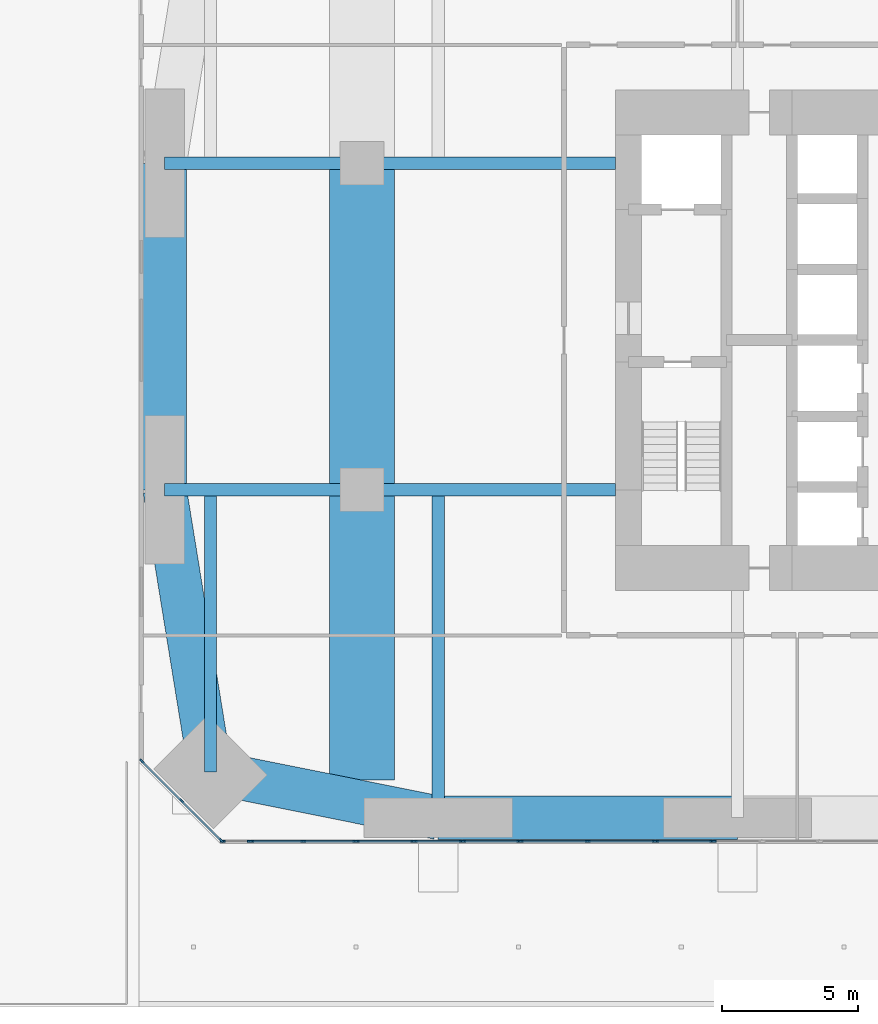
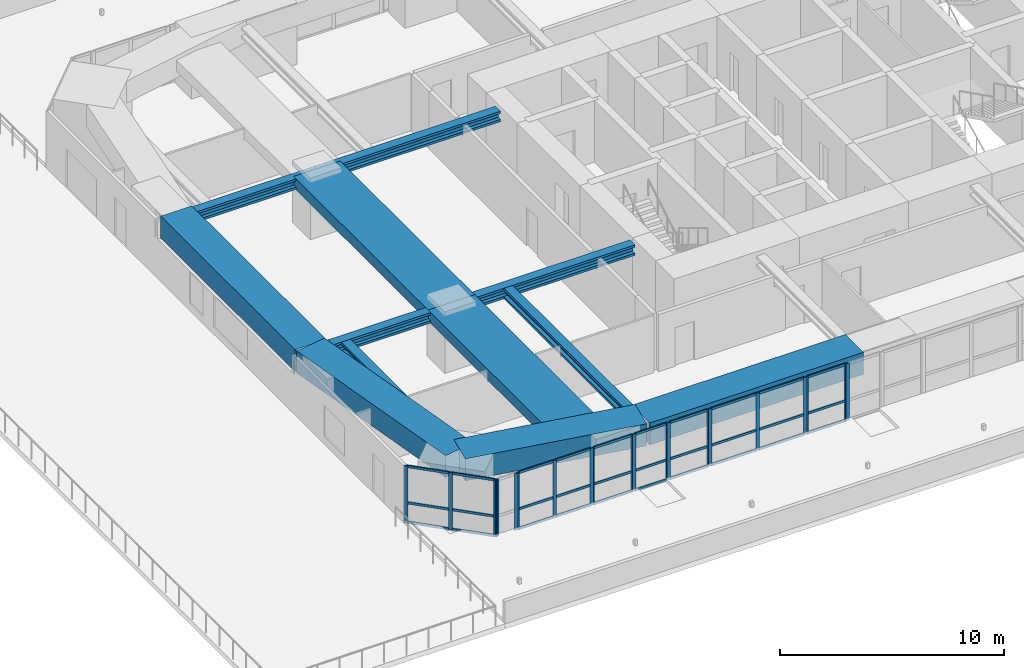
# One storey, part 2 of 20: 50 members, 12 beams, 9 elements without a shape of their own.
"""IFC4 building model written with IfcOpenShell, lengths in metres."""

from ifc_helpers import new_model, si_unit, direction, frame, origin, origin_2d, place, context, subcontext, project, spatial, rectangle, i_section, extrude, material, material_profile, profile_set, type_object, element, aggregate, save


model = new_model("IFC4")

# Units and contexts
model_context = context("Model", 3, precision=1e-05, world=origin(), true_north=direction((0.0, 1.0)))
body_context = subcontext(model_context, "Body", "Model", "MODEL_VIEW")
ifc_project = project(units=[si_unit("LENGTHUNIT", "METRE"), si_unit("AREAUNIT", "SQUARE_METRE"), si_unit("VOLUMEUNIT", "CUBIC_METRE"), si_unit("PLANEANGLEUNIT", "RADIAN"), si_unit("MASSUNIT", "GRAM", prefix="KILO")], contexts=[model_context])

# Site, building, storey
site_placement = place(None, origin())
site = spatial("IfcSite", under=ifc_project, at=site_placement, CompositionType="ELEMENT")
building_placement = place(site_placement, origin())
building = spatial("IfcBuilding", under=site, at=building_placement, Name="Jalousie Tower", CompositionType="ELEMENT")
storey_placement = place(building_placement, frame((0.0, 0.0, 21.0)))
storey = spatial("IfcBuildingStorey", under=building, at=storey_placement, Name="L04", CompositionType="ELEMENT", Elevation=21.0)

# Curtain wall, members
ifc_material_1 = material(Name="Aluminium curtain wall", Category="aluminium")
curtain_wall_type_1 = type_object("IfcCurtainWallType", Name="AMENITY SPANDREL WALL", PredefinedType="USERDEFINED", material=ifc_material_1)
curtain_wall_1_placement = place(storey_placement, origin())
curtain_wall_1 = element("IfcCurtainWall", 1, at=curtain_wall_1_placement, inside=storey, type_object=curtain_wall_type_1, Name="Amenity Spandrel Wall L04 1", ObjectType="AMENITY SPANDREL WALL", PredefinedType="USERDEFINED")
ifc_material_2 = material(Name="Aluminium mullion", Category="aluminium")
ifc_material_profile_1 = material_profile(ifc_material_2, rectangle(XDim=0.06494140625, YDim=0.175048828125, at=origin_2d()), Name="MULLION 65x175")
ifc_profile_set_1 = profile_set([ifc_material_profile_1], Name="Aluminium mullion")
member_type_1 = type_object("IfcMemberType", Name="AMENITY SPANDREL WALL MULLION", PredefinedType="MULLION", material=ifc_profile_set_1)
member_1_placement = place(storey_placement, frame((5.083740234375, 0.08740234375, 0.0), z_axis=(0.0, 0.0, 1.0), x_axis=(0.0, 1.0, 0.0)))
member_1 = element("IfcMember", 2, at=member_1_placement, type_object=member_type_1, Name="CW-AS mullion 1", PredefinedType="MULLION", context=body_context, shape_type="SweptSolid", body=[
    extrude(rectangle(XDim=0.06494140625, YDim=0.175048828125, at=origin_2d()), origin(), (0.0, 0.0, 1.0), 3.110107421875),
])
member_2_placement = place(storey_placement, frame((6.072265625, 0.08740234375, 0.0), z_axis=(0.0, 0.0, 1.0), x_axis=(0.0, 1.0, 0.0)))
member_2 = element("IfcMember", 3, at=member_2_placement, type_object=member_type_1, Name="CW-AS mullion 2", PredefinedType="MULLION", context=body_context, shape_type="SweptSolid", body=[
    extrude(rectangle(XDim=0.06494140625, YDim=0.175048828125, at=origin_2d()), origin(), (0.0, 0.0, 1.0), 3.110107421875),
])
aggregate(curtain_wall_1, [member_1, member_2])

curtain_wall_2_placement = place(storey_placement, origin())
curtain_wall_2 = element("IfcCurtainWall", 4, at=curtain_wall_2_placement, inside=storey, type_object=curtain_wall_type_1, Name="Amenity Spandrel Wall L04 3", ObjectType="AMENITY SPANDREL WALL", PredefinedType="USERDEFINED")
member_3_placement = place(storey_placement, frame((10.01806640625, 0.08740234375, 0.0), z_axis=(0.0, 0.0, 1.0), x_axis=(0.0, 1.0, 0.0)))
member_3 = element("IfcMember", 5, at=member_3_placement, type_object=member_type_1, Name="CW-AS mullion 1", PredefinedType="MULLION", context=body_context, shape_type="SweptSolid", body=[
    extrude(rectangle(XDim=0.06494140625, YDim=0.175048828125, at=origin_2d()), origin(), (0.0, 0.0, 1.0), 3.110107421875),
])
member_4_placement = place(storey_placement, frame((12.072509765625, 0.08740234375, 0.0), z_axis=(0.0, 0.0, 1.0), x_axis=(0.0, 1.0, 0.0)))
member_4 = element("IfcMember", 6, at=member_4_placement, type_object=member_type_1, Name="CW-AS mullion 2", PredefinedType="MULLION", context=body_context, shape_type="SweptSolid", body=[
    extrude(rectangle(XDim=0.06494140625, YDim=0.175048828125, at=origin_2d()), origin(), (0.0, 0.0, 1.0), 3.110107421875),
])

curtain_wall_3_placement = place(storey_placement, origin())
curtain_wall_3 = element("IfcCurtainWall", 7, at=curtain_wall_3_placement, inside=storey, type_object=curtain_wall_type_1, Name="Amenity Spandrel Wall L04 5", ObjectType="AMENITY SPANDREL WALL", PredefinedType="USERDEFINED")
member_5_placement = place(storey_placement, frame((13.927490234375, 0.08740234375, 0.0), z_axis=(0.0, 0.0, 1.0), x_axis=(0.0, 1.0, 0.0)))
member_5 = element("IfcMember", 8, at=member_5_placement, type_object=member_type_1, Name="CW-AS mullion 1", PredefinedType="MULLION", context=body_context, shape_type="SweptSolid", body=[
    extrude(rectangle(XDim=0.06494140625, YDim=0.175048828125, at=origin_2d()), origin(), (0.0, 0.0, 1.0), 3.110107421875),
])
member_6_placement = place(storey_placement, frame((15.98193359375, 0.08740234375, 0.0), z_axis=(0.0, 0.0, 1.0), x_axis=(0.0, 1.0, 0.0)))
member_6 = element("IfcMember", 9, at=member_6_placement, type_object=member_type_1, Name="CW-AS mullion 2", PredefinedType="MULLION", context=body_context, shape_type="SweptSolid", body=[
    extrude(rectangle(XDim=0.06494140625, YDim=0.175048828125, at=origin_2d()), origin(), (0.0, 0.0, 1.0), 3.110107421875),
])

curtain_wall_4_placement = place(storey_placement, origin())
curtain_wall_4 = element("IfcCurtainWall", 10, at=curtain_wall_4_placement, inside=storey, type_object=curtain_wall_type_1, Name="Amenity Spandrel Wall L04 7", ObjectType="AMENITY SPANDREL WALL", PredefinedType="USERDEFINED")
member_7_placement = place(storey_placement, frame((21.01806640625, 0.08740234375, 0.0), z_axis=(0.0, 0.0, 1.0), x_axis=(0.0, 1.0, 0.0)))
member_7 = element("IfcMember", 11, at=member_7_placement, type_object=member_type_1, Name="CW-AS mullion 1", PredefinedType="MULLION", context=body_context, shape_type="SweptSolid", body=[
    extrude(rectangle(XDim=0.06494140625, YDim=0.175048828125, at=origin_2d()), origin(), (0.0, 0.0, 1.0), 3.110107421875),
])
member_8_placement = place(storey_placement, frame((23.072509765625, 0.08740234375, 0.0), z_axis=(0.0, 0.0, 1.0), x_axis=(0.0, 1.0, 0.0)))
member_8 = element("IfcMember", 12, at=member_8_placement, type_object=member_type_1, Name="CW-AS mullion 2", PredefinedType="MULLION", context=body_context, shape_type="SweptSolid", body=[
    extrude(rectangle(XDim=0.06494140625, YDim=0.175048828125, at=origin_2d()), origin(), (0.0, 0.0, 1.0), 3.110107421875),
])

curtain_wall_5_placement = place(storey_placement, origin())
curtain_wall_5 = element("IfcCurtainWall", 13, at=curtain_wall_5_placement, inside=storey, type_object=curtain_wall_type_1, Name="Amenity Spandrel Wall L04 8", ObjectType="AMENITY SPANDREL WALL", PredefinedType="USERDEFINED")
member_9_placement = place(storey_placement, frame((2.110595703125, 3.0283203125, 0.0), z_axis=(0.0, 0.0, 1.0), x_axis=(0.707106781187, 0.707106781187, 0.0)))
member_9 = element("IfcMember", 14, at=member_9_placement, type_object=member_type_1, Name="CW-AS mullion 1", PredefinedType="MULLION", context=body_context, shape_type="SweptSolid", body=[
    extrude(rectangle(XDim=0.06494140625, YDim=0.175048828125, at=origin_2d()), origin(), (0.0, 0.0, 1.0), 3.110107421875),
])
member_10_placement = place(storey_placement, frame((3.5693359375, 1.5693359375, 0.0), z_axis=(0.0, 0.0, 1.0), x_axis=(0.707106781187, 0.707106781187, 0.0)))
member_10 = element("IfcMember", 15, at=member_10_placement, type_object=member_type_1, Name="CW-AS mullion 2", PredefinedType="MULLION", context=body_context, shape_type="SweptSolid", body=[
    extrude(rectangle(XDim=0.06494140625, YDim=0.175048828125, at=origin_2d()), origin(), (0.0, 0.0, 1.0), 3.110107421875),
])
member_11_placement = place(storey_placement, frame((5.0283203125, 0.110595703125, 0.0), z_axis=(0.0, 0.0, 1.0), x_axis=(0.707106781187, 0.707106781187, 0.0)))
member_11 = element("IfcMember", 16, at=member_11_placement, type_object=member_type_1, Name="CW-AS mullion 3", PredefinedType="MULLION", context=body_context, shape_type="SweptSolid", body=[
    extrude(rectangle(XDim=0.06494140625, YDim=0.175048828125, at=origin_2d()), origin(), (0.0, 0.0, 1.0), 3.110107421875),
])

# Member
ifc_material_3 = material(Name="Aluminium transom", Category="aluminium")
ifc_material_profile_2 = material_profile(ifc_material_3, rectangle(XDim=0.06494140625, YDim=0.1298828125, at=origin_2d()), Name="TRANSOM 65x130")
ifc_profile_set_2 = profile_set([ifc_material_profile_2], Name="Aluminium transom")
member_type_2 = type_object("IfcMemberType", Name="AMENITY SPANDREL WALL TRANSOM", PredefinedType="USERDEFINED", material=ifc_profile_set_2)
member_12_placement = place(storey_placement, frame((10.050537109375, 0.08740234375, 0.032470703125), z_axis=(1.0, 0.0, 0.0), x_axis=(0.0, 1.0, 0.0)))
member_12 = element("IfcMember", 17, at=member_12_placement, type_object=member_type_2, Name="CW-AS transom 1.1", ObjectType="TRANSOM", PredefinedType="USERDEFINED", context=body_context, shape_type="SweptSolid", body=[
    extrude(rectangle(XDim=0.06494140625, YDim=0.1298828125, at=origin_2d()), origin(), (0.0, 0.0, 1.0), 1.9892578125),
])

member_13_placement = place(storey_placement, frame((10.050537109375, 0.08740234375, 1.10009765625), z_axis=(1.0, 0.0, 0.0), x_axis=(0.0, 1.0, 0.0)))
member_13 = element("IfcMember", 18, at=member_13_placement, type_object=member_type_2, Name="CW-AS transom 1.2", ObjectType="TRANSOM", PredefinedType="USERDEFINED", context=body_context, shape_type="SweptSolid", body=[
    extrude(rectangle(XDim=0.06494140625, YDim=0.1298828125, at=origin_2d()), origin(), (0.0, 0.0, 1.0), 1.9892578125),
])

member_14_placement = place(storey_placement, frame((10.050537109375, 0.08740234375, 3.077392578125), z_axis=(1.0, 0.0, 0.0), x_axis=(0.0, 1.0, 0.0)))
member_14 = element("IfcMember", 19, at=member_14_placement, type_object=member_type_2, Name="CW-AS transom 1.3", ObjectType="TRANSOM", PredefinedType="USERDEFINED", context=body_context, shape_type="SweptSolid", body=[
    extrude(rectangle(XDim=0.06494140625, YDim=0.1298828125, at=origin_2d()), origin(), (0.0, 0.0, 1.0), 1.9892578125),
])

aggregate(curtain_wall_2, [member_3, member_4, member_12, member_13, member_14])

member_15_placement = place(storey_placement, frame((13.960205078125, 0.08740234375, 0.032470703125), z_axis=(1.0, 0.0, 0.0), x_axis=(0.0, 1.0, 0.0)))
member_15 = element("IfcMember", 20, at=member_15_placement, type_object=member_type_2, Name="CW-AS transom 1.1", ObjectType="TRANSOM", PredefinedType="USERDEFINED", context=body_context, shape_type="SweptSolid", body=[
    extrude(rectangle(XDim=0.06494140625, YDim=0.1298828125, at=origin_2d()), origin(), (0.0, 0.0, 1.0), 1.9892578125),
])

member_16_placement = place(storey_placement, frame((13.960205078125, 0.08740234375, 1.10009765625), z_axis=(1.0, 0.0, 0.0), x_axis=(0.0, 1.0, 0.0)))
member_16 = element("IfcMember", 21, at=member_16_placement, type_object=member_type_2, Name="CW-AS transom 1.2", ObjectType="TRANSOM", PredefinedType="USERDEFINED", context=body_context, shape_type="SweptSolid", body=[
    extrude(rectangle(XDim=0.06494140625, YDim=0.1298828125, at=origin_2d()), origin(), (0.0, 0.0, 1.0), 1.9892578125),
])

member_17_placement = place(storey_placement, frame((13.960205078125, 0.08740234375, 3.077392578125), z_axis=(1.0, 0.0, 0.0), x_axis=(0.0, 1.0, 0.0)))
member_17 = element("IfcMember", 22, at=member_17_placement, type_object=member_type_2, Name="CW-AS transom 1.3", ObjectType="TRANSOM", PredefinedType="USERDEFINED", context=body_context, shape_type="SweptSolid", body=[
    extrude(rectangle(XDim=0.06494140625, YDim=0.1298828125, at=origin_2d()), origin(), (0.0, 0.0, 1.0), 1.9892578125),
])

aggregate(curtain_wall_3, [member_5, member_6, member_15, member_16, member_17])

member_18_placement = place(storey_placement, frame((21.050537109375, 0.08740234375, 0.032470703125), z_axis=(1.0, 0.0, 0.0), x_axis=(0.0, 1.0, 0.0)))
member_18 = element("IfcMember", 23, at=member_18_placement, type_object=member_type_2, Name="CW-AS transom 1.1", ObjectType="TRANSOM", PredefinedType="USERDEFINED", context=body_context, shape_type="SweptSolid", body=[
    extrude(rectangle(XDim=0.06494140625, YDim=0.1298828125, at=origin_2d()), origin(), (0.0, 0.0, 1.0), 1.9892578125),
])

member_19_placement = place(storey_placement, frame((21.050537109375, 0.08740234375, 1.10009765625), z_axis=(1.0, 0.0, 0.0), x_axis=(0.0, 1.0, 0.0)))
member_19 = element("IfcMember", 24, at=member_19_placement, type_object=member_type_2, Name="CW-AS transom 1.2", ObjectType="TRANSOM", PredefinedType="USERDEFINED", context=body_context, shape_type="SweptSolid", body=[
    extrude(rectangle(XDim=0.06494140625, YDim=0.1298828125, at=origin_2d()), origin(), (0.0, 0.0, 1.0), 1.9892578125),
])

member_20_placement = place(storey_placement, frame((21.050537109375, 0.08740234375, 3.077392578125), z_axis=(1.0, 0.0, 0.0), x_axis=(0.0, 1.0, 0.0)))
member_20 = element("IfcMember", 25, at=member_20_placement, type_object=member_type_2, Name="CW-AS transom 1.3", ObjectType="TRANSOM", PredefinedType="USERDEFINED", context=body_context, shape_type="SweptSolid", body=[
    extrude(rectangle(XDim=0.06494140625, YDim=0.1298828125, at=origin_2d()), origin(), (0.0, 0.0, 1.0), 1.9892578125),
])

aggregate(curtain_wall_4, [member_7, member_8, member_18, member_19, member_20])

member_21_placement = place(storey_placement, frame((2.133544921875, 3.00537109375, 0.032470703125), z_axis=(0.707045689409, -0.707167867686, 0.0), x_axis=(0.707167867686, 0.707045689409, 0.0)))
member_21 = element("IfcMember", 26, at=member_21_placement, type_object=member_type_2, Name="CW-AS transom 1.1", ObjectType="TRANSOM", PredefinedType="USERDEFINED", context=body_context, shape_type="SweptSolid", body=[
    extrude(rectangle(XDim=0.06494140625, YDim=0.1298828125, at=origin_2d()), origin(), (0.0, 0.0, 1.0), 1.998291015625),
])

member_22_placement = place(storey_placement, frame((2.133544921875, 3.00537109375, 1.10009765625), z_axis=(0.707045689409, -0.707167867686, 0.0), x_axis=(0.707167867686, 0.707045689409, 0.0)))
member_22 = element("IfcMember", 27, at=member_22_placement, type_object=member_type_2, Name="CW-AS transom 1.2", ObjectType="TRANSOM", PredefinedType="USERDEFINED", context=body_context, shape_type="SweptSolid", body=[
    extrude(rectangle(XDim=0.06494140625, YDim=0.1298828125, at=origin_2d()), origin(), (0.0, 0.0, 1.0), 1.998291015625),
])

member_23_placement = place(storey_placement, frame((2.133544921875, 3.00537109375, 3.077392578125), z_axis=(0.707045689409, -0.707167867686, 0.0), x_axis=(0.707167867686, 0.707045689409, 0.0)))
member_23 = element("IfcMember", 28, at=member_23_placement, type_object=member_type_2, Name="CW-AS transom 1.3", ObjectType="TRANSOM", PredefinedType="USERDEFINED", context=body_context, shape_type="SweptSolid", body=[
    extrude(rectangle(XDim=0.06494140625, YDim=0.1298828125, at=origin_2d()), origin(), (0.0, 0.0, 1.0), 1.998291015625),
])

member_24_placement = place(storey_placement, frame((3.59228515625, 1.54638671875, 0.032470703125), z_axis=(0.707167867686, -0.707045689409, 0.0), x_axis=(0.707045689409, 0.707167867686, 0.0)))
member_24 = element("IfcMember", 29, at=member_24_placement, type_object=member_type_2, Name="CW-AS transom 2.1", ObjectType="TRANSOM", PredefinedType="USERDEFINED", context=body_context, shape_type="SweptSolid", body=[
    extrude(rectangle(XDim=0.06494140625, YDim=0.1298828125, at=origin_2d()), origin(), (0.0, 0.0, 1.0), 1.998291015625),
])

member_25_placement = place(storey_placement, frame((3.59228515625, 1.54638671875, 1.10009765625), z_axis=(0.707167867686, -0.707045689409, 0.0), x_axis=(0.707045689409, 0.707167867686, 0.0)))
member_25 = element("IfcMember", 30, at=member_25_placement, type_object=member_type_2, Name="CW-AS transom 2.2", ObjectType="TRANSOM", PredefinedType="USERDEFINED", context=body_context, shape_type="SweptSolid", body=[
    extrude(rectangle(XDim=0.06494140625, YDim=0.1298828125, at=origin_2d()), origin(), (0.0, 0.0, 1.0), 1.998291015625),
])

member_26_placement = place(storey_placement, frame((3.59228515625, 1.54638671875, 3.077392578125), z_axis=(0.707167867686, -0.707045689409, 0.0), x_axis=(0.707045689409, 0.707167867686, 0.0)))
member_26 = element("IfcMember", 31, at=member_26_placement, type_object=member_type_2, Name="CW-AS transom 2.3", ObjectType="TRANSOM", PredefinedType="USERDEFINED", context=body_context, shape_type="SweptSolid", body=[
    extrude(rectangle(XDim=0.06494140625, YDim=0.1298828125, at=origin_2d()), origin(), (0.0, 0.0, 1.0), 1.998291015625),
])

aggregate(curtain_wall_5, [member_9, member_10, member_11, member_21, member_22, member_23, member_24, member_25, member_26])

# Curtain wall, members
ifc_material_4 = material(Name="Aluminium curtain wall", Category="aluminium")
curtain_wall_type_2 = type_object("IfcCurtainWallType", Name="AMENITY WINDOW WALL", PredefinedType="USERDEFINED", material=ifc_material_4)
curtain_wall_6_placement = place(storey_placement, origin())
curtain_wall_6 = element("IfcCurtainWall", 32, at=curtain_wall_6_placement, inside=storey, type_object=curtain_wall_type_2, Name="Amenity Window Wall L04 2", ObjectType="AMENITY WINDOW WALL", PredefinedType="USERDEFINED")
ifc_material_5 = material(Name="Aluminium mullion", Category="aluminium")
ifc_material_profile_3 = material_profile(ifc_material_5, rectangle(XDim=0.06494140625, YDim=0.175048828125, at=origin_2d()), Name="MULLION 65x175")
ifc_profile_set_3 = profile_set([ifc_material_profile_3], Name="Aluminium mullion")
member_type_3 = type_object("IfcMemberType", Name="AMENITY WINDOW WALL MULLION", PredefinedType="MULLION", material=ifc_profile_set_3)
member_27_placement = place(storey_placement, frame((6.13720703125, 0.08740234375, 0.0), z_axis=(0.0, 0.0, 1.0), x_axis=(0.0, 1.0, 0.0)))
member_27 = element("IfcMember", 33, at=member_27_placement, type_object=member_type_3, Name="CW-A mullion 1", PredefinedType="MULLION", context=body_context, shape_type="SweptSolid", body=[
    extrude(rectangle(XDim=0.06494140625, YDim=0.175048828125, at=origin_2d()), origin(), (0.0, 0.0, 1.0), 3.110107421875),
])
member_28_placement = place(storey_placement, frame((8.045166015625, 0.08740234375, 0.0), z_axis=(0.0, 0.0, 1.0), x_axis=(0.0, 1.0, 0.0)))
member_28 = element("IfcMember", 34, at=member_28_placement, type_object=member_type_3, Name="CW-A mullion 2", PredefinedType="MULLION", context=body_context, shape_type="SweptSolid", body=[
    extrude(rectangle(XDim=0.06494140625, YDim=0.175048828125, at=origin_2d()), origin(), (0.0, 0.0, 1.0), 3.110107421875),
])
member_29_placement = place(storey_placement, frame((9.952880859375, 0.08740234375, 0.0), z_axis=(0.0, 0.0, 1.0), x_axis=(0.0, 1.0, 0.0)))
member_29 = element("IfcMember", 35, at=member_29_placement, type_object=member_type_3, Name="CW-A mullion 3", PredefinedType="MULLION", context=body_context, shape_type="SweptSolid", body=[
    extrude(rectangle(XDim=0.06494140625, YDim=0.175048828125, at=origin_2d()), origin(), (0.0, 0.0, 1.0), 3.110107421875),
])

curtain_wall_7_placement = place(storey_placement, origin())
curtain_wall_7 = element("IfcCurtainWall", 36, at=curtain_wall_7_placement, inside=storey, type_object=curtain_wall_type_2, Name="Amenity Window Wall L04 4", ObjectType="AMENITY WINDOW WALL", PredefinedType="USERDEFINED")
member_30_placement = place(storey_placement, frame((12.137451171875, 0.08740234375, 0.0), z_axis=(0.0, 0.0, 1.0), x_axis=(0.0, 1.0, 0.0)))
member_30 = element("IfcMember", 37, at=member_30_placement, type_object=member_type_3, Name="CW-A mullion 1", PredefinedType="MULLION", context=body_context, shape_type="SweptSolid", body=[
    extrude(rectangle(XDim=0.06494140625, YDim=0.175048828125, at=origin_2d()), origin(), (0.0, 0.0, 1.0), 3.110107421875),
])
member_31_placement = place(storey_placement, frame((13.862548828125, 0.08740234375, 0.0), z_axis=(0.0, 0.0, 1.0), x_axis=(0.0, 1.0, 0.0)))
member_31 = element("IfcMember", 38, at=member_31_placement, type_object=member_type_3, Name="CW-A mullion 2", PredefinedType="MULLION", context=body_context, shape_type="SweptSolid", body=[
    extrude(rectangle(XDim=0.06494140625, YDim=0.175048828125, at=origin_2d()), origin(), (0.0, 0.0, 1.0), 3.110107421875),
])

curtain_wall_8_placement = place(storey_placement, origin())
curtain_wall_8 = element("IfcCurtainWall", 39, at=curtain_wall_8_placement, inside=storey, type_object=curtain_wall_type_2, Name="Amenity Window Wall L04 6", ObjectType="AMENITY WINDOW WALL", PredefinedType="USERDEFINED")
member_32_placement = place(storey_placement, frame((16.047119140625, 0.08740234375, 0.0), z_axis=(0.0, 0.0, 1.0), x_axis=(0.0, 1.0, 0.0)))
member_32 = element("IfcMember", 40, at=member_32_placement, type_object=member_type_3, Name="CW-A mullion 1", PredefinedType="MULLION", context=body_context, shape_type="SweptSolid", body=[
    extrude(rectangle(XDim=0.06494140625, YDim=0.175048828125, at=origin_2d()), origin(), (0.0, 0.0, 1.0), 3.110107421875),
])
member_33_placement = place(storey_placement, frame((18.5, 0.08740234375, 0.0), z_axis=(0.0, 0.0, 1.0), x_axis=(0.0, 1.0, 0.0)))
member_33 = element("IfcMember", 41, at=member_33_placement, type_object=member_type_3, Name="CW-A mullion 2", PredefinedType="MULLION", context=body_context, shape_type="SweptSolid", body=[
    extrude(rectangle(XDim=0.06494140625, YDim=0.175048828125, at=origin_2d()), origin(), (0.0, 0.0, 1.0), 3.110107421875),
])
member_34_placement = place(storey_placement, frame((20.952880859375, 0.08740234375, 0.0), z_axis=(0.0, 0.0, 1.0), x_axis=(0.0, 1.0, 0.0)))
member_34 = element("IfcMember", 42, at=member_34_placement, type_object=member_type_3, Name="CW-A mullion 3", PredefinedType="MULLION", context=body_context, shape_type="SweptSolid", body=[
    extrude(rectangle(XDim=0.06494140625, YDim=0.175048828125, at=origin_2d()), origin(), (0.0, 0.0, 1.0), 3.110107421875),
])

# Curtain wall, member
curtain_wall_9_placement = place(storey_placement, origin())
curtain_wall_9 = element("IfcCurtainWall", 43, at=curtain_wall_9_placement, inside=storey, type_object=curtain_wall_type_2, Name="Amenity Window Wall L04 8", ObjectType="AMENITY WINDOW WALL", PredefinedType="USERDEFINED")
member_35_placement = place(storey_placement, frame((23.137451171875, 0.08740234375, 0.0), z_axis=(0.0, 0.0, 1.0), x_axis=(0.0, 1.0, 0.0)))
member_35 = element("IfcMember", 44, at=member_35_placement, type_object=member_type_3, Name="CW-A mullion 1", PredefinedType="MULLION", context=body_context, shape_type="SweptSolid", body=[
    extrude(rectangle(XDim=0.06494140625, YDim=0.175048828125, at=origin_2d()), origin(), (0.0, 0.0, 1.0), 3.110107421875),
])
aggregate(curtain_wall_9, [member_35])

# Member
ifc_material_6 = material(Name="Aluminium transom", Category="aluminium")
ifc_material_profile_4 = material_profile(ifc_material_6, rectangle(XDim=0.06494140625, YDim=0.1298828125, at=origin_2d()), Name="TRANSOM 65x130")
ifc_profile_set_4 = profile_set([ifc_material_profile_4], Name="Aluminium transom")
member_type_4 = type_object("IfcMemberType", Name="AMENITY WINDOW WALL TRANSOM", PredefinedType="USERDEFINED", material=ifc_profile_set_4)
member_36_placement = place(storey_placement, frame((6.169921875, 0.08740234375, 0.032470703125), z_axis=(1.0, 0.0, 0.0), x_axis=(0.0, 1.0, 0.0)))
member_36 = element("IfcMember", 45, at=member_36_placement, type_object=member_type_4, Name="CW-A transom 1.1", ObjectType="TRANSOM", PredefinedType="USERDEFINED", context=body_context, shape_type="SweptSolid", body=[
    extrude(rectangle(XDim=0.06494140625, YDim=0.1298828125, at=origin_2d()), origin(), (0.0, 0.0, 1.0), 1.8427734375),
])

member_37_placement = place(storey_placement, frame((6.169921875, 0.08740234375, 1.10009765625), z_axis=(1.0, 0.0, 0.0), x_axis=(0.0, 1.0, 0.0)))
member_37 = element("IfcMember", 46, at=member_37_placement, type_object=member_type_4, Name="CW-A transom 1.2", ObjectType="TRANSOM", PredefinedType="USERDEFINED", context=body_context, shape_type="SweptSolid", body=[
    extrude(rectangle(XDim=0.06494140625, YDim=0.1298828125, at=origin_2d()), origin(), (0.0, 0.0, 1.0), 1.8427734375),
])

member_38_placement = place(storey_placement, frame((6.169921875, 0.08740234375, 3.077392578125), z_axis=(1.0, 0.0, 0.0), x_axis=(0.0, 1.0, 0.0)))
member_38 = element("IfcMember", 47, at=member_38_placement, type_object=member_type_4, Name="CW-A transom 1.3", ObjectType="TRANSOM", PredefinedType="USERDEFINED", context=body_context, shape_type="SweptSolid", body=[
    extrude(rectangle(XDim=0.06494140625, YDim=0.1298828125, at=origin_2d()), origin(), (0.0, 0.0, 1.0), 1.8427734375),
])

member_39_placement = place(storey_placement, frame((8.07763671875, 0.08740234375, 0.032470703125), z_axis=(1.0, 0.0, 0.0), x_axis=(0.0, 1.0, 0.0)))
member_39 = element("IfcMember", 48, at=member_39_placement, type_object=member_type_4, Name="CW-A transom 2.1", ObjectType="TRANSOM", PredefinedType="USERDEFINED", context=body_context, shape_type="SweptSolid", body=[
    extrude(rectangle(XDim=0.06494140625, YDim=0.1298828125, at=origin_2d()), origin(), (0.0, 0.0, 1.0), 1.8427734375),
])

member_40_placement = place(storey_placement, frame((8.07763671875, 0.08740234375, 1.10009765625), z_axis=(1.0, 0.0, 0.0), x_axis=(0.0, 1.0, 0.0)))
member_40 = element("IfcMember", 49, at=member_40_placement, type_object=member_type_4, Name="CW-A transom 2.2", ObjectType="TRANSOM", PredefinedType="USERDEFINED", context=body_context, shape_type="SweptSolid", body=[
    extrude(rectangle(XDim=0.06494140625, YDim=0.1298828125, at=origin_2d()), origin(), (0.0, 0.0, 1.0), 1.8427734375),
])

member_41_placement = place(storey_placement, frame((8.07763671875, 0.08740234375, 3.077392578125), z_axis=(1.0, 0.0, 0.0), x_axis=(0.0, 1.0, 0.0)))
member_41 = element("IfcMember", 50, at=member_41_placement, type_object=member_type_4, Name="CW-A transom 2.3", ObjectType="TRANSOM", PredefinedType="USERDEFINED", context=body_context, shape_type="SweptSolid", body=[
    extrude(rectangle(XDim=0.06494140625, YDim=0.1298828125, at=origin_2d()), origin(), (0.0, 0.0, 1.0), 1.8427734375),
])

aggregate(curtain_wall_6, [member_27, member_28, member_29, member_36, member_37, member_38, member_39, member_40, member_41])

member_42_placement = place(storey_placement, frame((12.169921875, 0.08740234375, 0.032470703125), z_axis=(1.0, 0.0, 0.0), x_axis=(0.0, 1.0, 0.0)))
member_42 = element("IfcMember", 51, at=member_42_placement, type_object=member_type_4, Name="CW-A transom 1.1", ObjectType="TRANSOM", PredefinedType="USERDEFINED", context=body_context, shape_type="SweptSolid", body=[
    extrude(rectangle(XDim=0.06494140625, YDim=0.1298828125, at=origin_2d()), origin(), (0.0, 0.0, 1.0), 1.66015625),
])

member_43_placement = place(storey_placement, frame((12.169921875, 0.08740234375, 1.10009765625), z_axis=(1.0, 0.0, 0.0), x_axis=(0.0, 1.0, 0.0)))
member_43 = element("IfcMember", 52, at=member_43_placement, type_object=member_type_4, Name="CW-A transom 1.2", ObjectType="TRANSOM", PredefinedType="USERDEFINED", context=body_context, shape_type="SweptSolid", body=[
    extrude(rectangle(XDim=0.06494140625, YDim=0.1298828125, at=origin_2d()), origin(), (0.0, 0.0, 1.0), 1.66015625),
])

member_44_placement = place(storey_placement, frame((12.169921875, 0.08740234375, 3.077392578125), z_axis=(1.0, 0.0, 0.0), x_axis=(0.0, 1.0, 0.0)))
member_44 = element("IfcMember", 53, at=member_44_placement, type_object=member_type_4, Name="CW-A transom 1.3", ObjectType="TRANSOM", PredefinedType="USERDEFINED", context=body_context, shape_type="SweptSolid", body=[
    extrude(rectangle(XDim=0.06494140625, YDim=0.1298828125, at=origin_2d()), origin(), (0.0, 0.0, 1.0), 1.66015625),
])

aggregate(curtain_wall_7, [member_30, member_31, member_42, member_43, member_44])

member_45_placement = place(storey_placement, frame((16.07958984375, 0.08740234375, 0.032470703125), z_axis=(1.0, 0.0, 0.0), x_axis=(0.0, 1.0, 0.0)))
member_45 = element("IfcMember", 54, at=member_45_placement, type_object=member_type_4, Name="CW-A transom 1.1", ObjectType="TRANSOM", PredefinedType="USERDEFINED", context=body_context, shape_type="SweptSolid", body=[
    extrude(rectangle(XDim=0.06494140625, YDim=0.1298828125, at=origin_2d()), origin(), (0.0, 0.0, 1.0), 2.387939453125),
])

member_46_placement = place(storey_placement, frame((16.07958984375, 0.08740234375, 1.10009765625), z_axis=(1.0, 0.0, 0.0), x_axis=(0.0, 1.0, 0.0)))
member_46 = element("IfcMember", 55, at=member_46_placement, type_object=member_type_4, Name="CW-A transom 1.2", ObjectType="TRANSOM", PredefinedType="USERDEFINED", context=body_context, shape_type="SweptSolid", body=[
    extrude(rectangle(XDim=0.06494140625, YDim=0.1298828125, at=origin_2d()), origin(), (0.0, 0.0, 1.0), 2.387939453125),
])

member_47_placement = place(storey_placement, frame((16.07958984375, 0.08740234375, 3.077392578125), z_axis=(1.0, 0.0, 0.0), x_axis=(0.0, 1.0, 0.0)))
member_47 = element("IfcMember", 56, at=member_47_placement, type_object=member_type_4, Name="CW-A transom 1.3", ObjectType="TRANSOM", PredefinedType="USERDEFINED", context=body_context, shape_type="SweptSolid", body=[
    extrude(rectangle(XDim=0.06494140625, YDim=0.1298828125, at=origin_2d()), origin(), (0.0, 0.0, 1.0), 2.387939453125),
])

member_48_placement = place(storey_placement, frame((18.532470703125, 0.08740234375, 0.032470703125), z_axis=(1.0, 0.0, 0.0), x_axis=(0.0, 1.0, 0.0)))
member_48 = element("IfcMember", 57, at=member_48_placement, type_object=member_type_4, Name="CW-A transom 2.1", ObjectType="TRANSOM", PredefinedType="USERDEFINED", context=body_context, shape_type="SweptSolid", body=[
    extrude(rectangle(XDim=0.06494140625, YDim=0.1298828125, at=origin_2d()), origin(), (0.0, 0.0, 1.0), 2.387939453125),
])

member_49_placement = place(storey_placement, frame((18.532470703125, 0.08740234375, 1.10009765625), z_axis=(1.0, 0.0, 0.0), x_axis=(0.0, 1.0, 0.0)))
member_49 = element("IfcMember", 58, at=member_49_placement, type_object=member_type_4, Name="CW-A transom 2.2", ObjectType="TRANSOM", PredefinedType="USERDEFINED", context=body_context, shape_type="SweptSolid", body=[
    extrude(rectangle(XDim=0.06494140625, YDim=0.1298828125, at=origin_2d()), origin(), (0.0, 0.0, 1.0), 2.387939453125),
])

member_50_placement = place(storey_placement, frame((18.532470703125, 0.08740234375, 3.077392578125), z_axis=(1.0, 0.0, 0.0), x_axis=(0.0, 1.0, 0.0)))
member_50 = element("IfcMember", 59, at=member_50_placement, type_object=member_type_4, Name="CW-A transom 2.3", ObjectType="TRANSOM", PredefinedType="USERDEFINED", context=body_context, shape_type="SweptSolid", body=[
    extrude(rectangle(XDim=0.06494140625, YDim=0.1298828125, at=origin_2d()), origin(), (0.0, 0.0, 1.0), 2.387939453125),
])

aggregate(curtain_wall_8, [member_32, member_33, member_34, member_45, member_46, member_47, member_48, member_49, member_50])

# Beams
ifc_material_7 = material(Name="Steel ASTM A992 Grade 50", Category="steel")
ifc_material_profile_5 = material_profile(ifc_material_7, i_section(OverallWidth=0.45458984375, OverallDepth=0.569091796875, WebThickness=0.077880859375, FlangeThickness=0.124755859375, at=origin_2d()), Name="W14X730")
ifc_profile_set_5 = profile_set([ifc_material_profile_5], Name="Steel ASTM A992 Grade 50")
beam_type_1 = type_object("IfcBeamType", Name="LEAN COLLECTOR W14X730", PredefinedType="BEAM", material=ifc_profile_set_5)
for number, where, z_axis, x_axis, name in (
    (60, (2.949951171875, 13.0, 2.825439453125), (1.0, 0.0, 0.0), (0.0, 1.0, 0.0), "Lean collector under L05"),
    (61, (2.949951171875, 25.0, 2.825439453125), (1.0, 0.0, 0.0), (0.0, 1.0, 0.0), "Lean collector under L05"),
):
    element("IfcBeam", number, at=place(storey_placement, frame(where, z_axis=z_axis, x_axis=x_axis)), inside=storey, type_object=beam_type_1, Name=name, PredefinedType="BEAM", context=body_context, shape_type="SweptSolid", body=[
        extrude(i_section(OverallWidth=0.45458984375, OverallDepth=0.569091796875, WebThickness=0.077880859375, FlangeThickness=0.124755859375, at=origin_2d()), origin(), (0.0, 0.0, 1.0), 7.25),
    ])
for number, where, z_axis, x_axis, name in (
    (62, (10.199951171875, 13.0, 2.825439453125), (1.0, 0.0, 0.0), (0.0, 1.0, 0.0), "Lean collector under L05"),
    (63, (10.199951171875, 25.0, 2.825439453125), (1.0, 0.0, 0.0), (0.0, 1.0, 0.0), "Lean collector under L05"),
):
    element("IfcBeam", number, at=place(storey_placement, frame(where, z_axis=z_axis, x_axis=x_axis)), inside=storey, type_object=beam_type_1, Name=name, PredefinedType="BEAM", context=body_context, shape_type="SweptSolid", body=[
        extrude(i_section(OverallWidth=0.45458984375, OverallDepth=0.569091796875, WebThickness=0.077880859375, FlangeThickness=0.124755859375, at=origin_2d()), origin(), (0.0, 0.0, 1.0), 9.324951171875),
    ])
beam_1_placement = place(storey_placement, frame((4.63134765625, 2.63134765625, 2.825439453125), z_axis=(0.0, 1.0, 0.0), x_axis=(-1.0, 0.0, 0.0)))
element("IfcBeam", 64, at=beam_1_placement, inside=storey, type_object=beam_type_1, Name="Lean collector under L05", PredefinedType="BEAM", context=body_context, shape_type="SweptSolid", body=[
    extrude(i_section(OverallWidth=0.45458984375, OverallDepth=0.569091796875, WebThickness=0.077880859375, FlangeThickness=0.124755859375, at=origin_2d()), origin(), (0.0, 0.0, 1.0), 10.36865234375),
])
beam_2_placement = place(storey_placement, frame((13.0, 0.949951171875, 2.825439453125), z_axis=(0.0, 1.0, 0.0), x_axis=(-1.0, 0.0, 0.0)))
element("IfcBeam", 65, at=beam_2_placement, inside=storey, type_object=beam_type_1, Name="Lean collector under L05", PredefinedType="BEAM", context=body_context, shape_type="SweptSolid", body=[
    extrude(i_section(OverallWidth=0.45458984375, OverallDepth=0.569091796875, WebThickness=0.077880859375, FlangeThickness=0.124755859375, at=origin_2d()), origin(), (0.0, 0.0, 1.0), 12.050048828125),
])
ifc_material_8 = material(Name="Concrete f'c 40 MPa", Category="concrete")
ifc_material_profile_6 = material_profile(ifc_material_8, rectangle(XDim=1.60009765625, YDim=1.199951171875, at=origin_2d()), Name="RC 1600x1200")
ifc_profile_set_6 = profile_set([ifc_material_profile_6], Name="Concrete f'c 40 MPa")
beam_type_2 = type_object("IfcBeamType", Name="RC BEAM 1600x1200", PredefinedType="BEAM", material=ifc_profile_set_6)
beam_3_placement = place(storey_placement, frame((4.63134765625, 2.63134765625, 2.75), z_axis=(0.980407585444, -0.196979609107, 0.0), x_axis=(0.196979609107, 0.980407585444, 0.0)))
element("IfcBeam", 66, at=beam_3_placement, inside=storey, type_object=beam_type_2, Name="Edge band beam 01-02 under L05", PredefinedType="BEAM", context=body_context, shape_type="SweptSolid", body=[
    extrude(rectangle(XDim=1.60009765625, YDim=1.199951171875, at=origin_2d()), origin(), (0.0, 0.0, 1.0), 8.535888671875),
])
beam_4_placement = place(storey_placement, frame((13.0, 0.949951171875, 2.75), z_axis=(1.0, 0.0, 0.0), x_axis=(0.0, 1.0, 0.0)))
element("IfcBeam", 67, at=beam_4_placement, inside=storey, type_object=beam_type_2, Name="Edge band beam 02-03 under L05", PredefinedType="BEAM", context=body_context, shape_type="SweptSolid", body=[
    extrude(rectangle(XDim=1.60009765625, YDim=1.199951171875, at=origin_2d()), origin(), (0.0, 0.0, 1.0), 11.0),
])
beam_5_placement = place(storey_placement, frame((2.949951171875, 25.0, 2.75), z_axis=(0.0, -1.0, 0.0), x_axis=(1.0, 0.0, 0.0)))
element("IfcBeam", 68, at=beam_5_placement, inside=storey, type_object=beam_type_2, Name="Edge band beam 13-14 under L05", PredefinedType="BEAM", context=body_context, shape_type="SweptSolid", body=[
    extrude(rectangle(XDim=1.60009765625, YDim=1.199951171875, at=origin_2d()), origin(), (0.0, 0.0, 1.0), 12.0),
])
beam_6_placement = place(storey_placement, frame((2.949951171875, 13.0, 2.75), z_axis=(0.160070546476, -0.987105577003, 0.0), x_axis=(0.987105577003, 0.160070546476, 0.0)))
element("IfcBeam", 69, at=beam_6_placement, inside=storey, type_object=beam_type_2, Name="Edge band beam 14-01 under L05", PredefinedType="BEAM", context=body_context, shape_type="SweptSolid", body=[
    extrude(rectangle(XDim=1.60009765625, YDim=1.199951171875, at=origin_2d()), origin(), (0.0, 0.0, 1.0), 10.504150390625),
])
ifc_material_9 = material(Name="Concrete f'c 40 MPa", Category="concrete")
ifc_material_profile_7 = material_profile(ifc_material_9, rectangle(XDim=2.39990234375, YDim=0.60009765625, at=origin_2d()), Name="RC 2400x600")
ifc_profile_set_7 = profile_set([ifc_material_profile_7], Name="Concrete f'c 40 MPa")
beam_type_3 = type_object("IfcBeamType", Name="RC BEAM 2400x600", PredefinedType="BEAM", material=ifc_profile_set_7)
beam_7_placement = place(storey_placement, frame((10.199951171875, 13.0, 2.81005859375), z_axis=(0.0, 1.0, 0.0), x_axis=(-1.0, 0.0, 0.0)))
element("IfcBeam", 70, at=beam_7_placement, inside=storey, type_object=beam_type_3, Name="Floor band beam under L05", PredefinedType="BEAM", context=body_context, shape_type="SweptSolid", body=[
    extrude(rectangle(XDim=2.39990234375, YDim=0.60009765625, at=origin_2d()), origin(), (0.0, 0.0, 1.0), 12.0),
])
beam_8_placement = place(storey_placement, frame((10.199951171875, 13.0, 2.81005859375), z_axis=(0.0, -1.0, 0.0), x_axis=(1.0, 0.0, 0.0)))
element("IfcBeam", 71, at=beam_8_placement, inside=storey, type_object=beam_type_3, Name="Floor band beam under L05", PredefinedType="BEAM", context=body_context, shape_type="SweptSolid", body=[
    extrude(rectangle(XDim=2.39990234375, YDim=0.60009765625, at=origin_2d()), origin(), (0.0, 0.0, 1.0), 10.67138671875),
])

save(model, "model.ifc")
